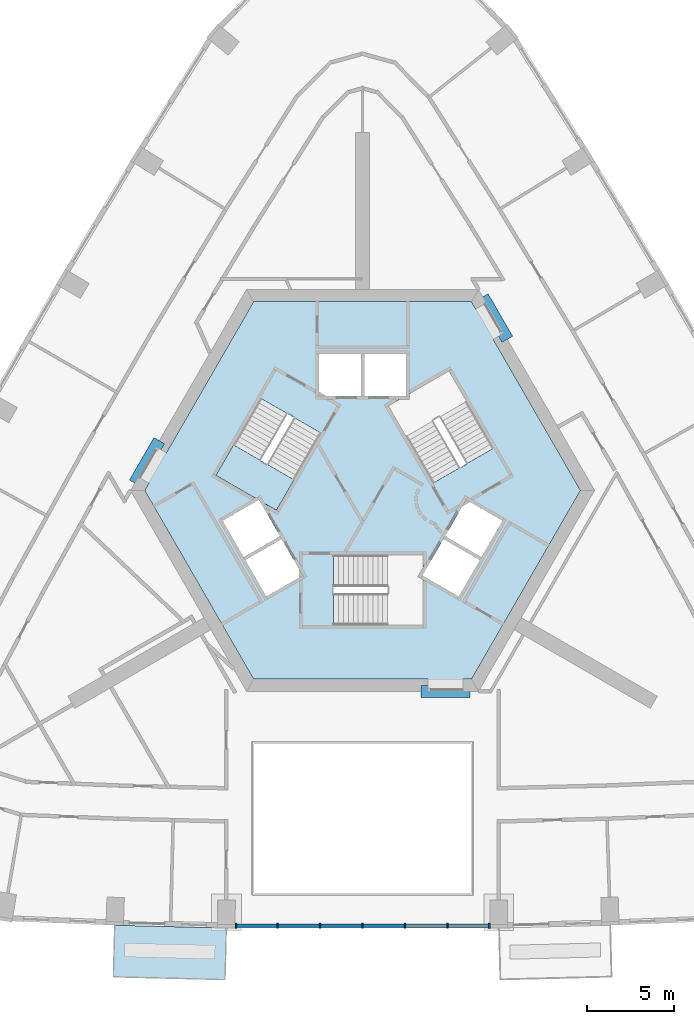
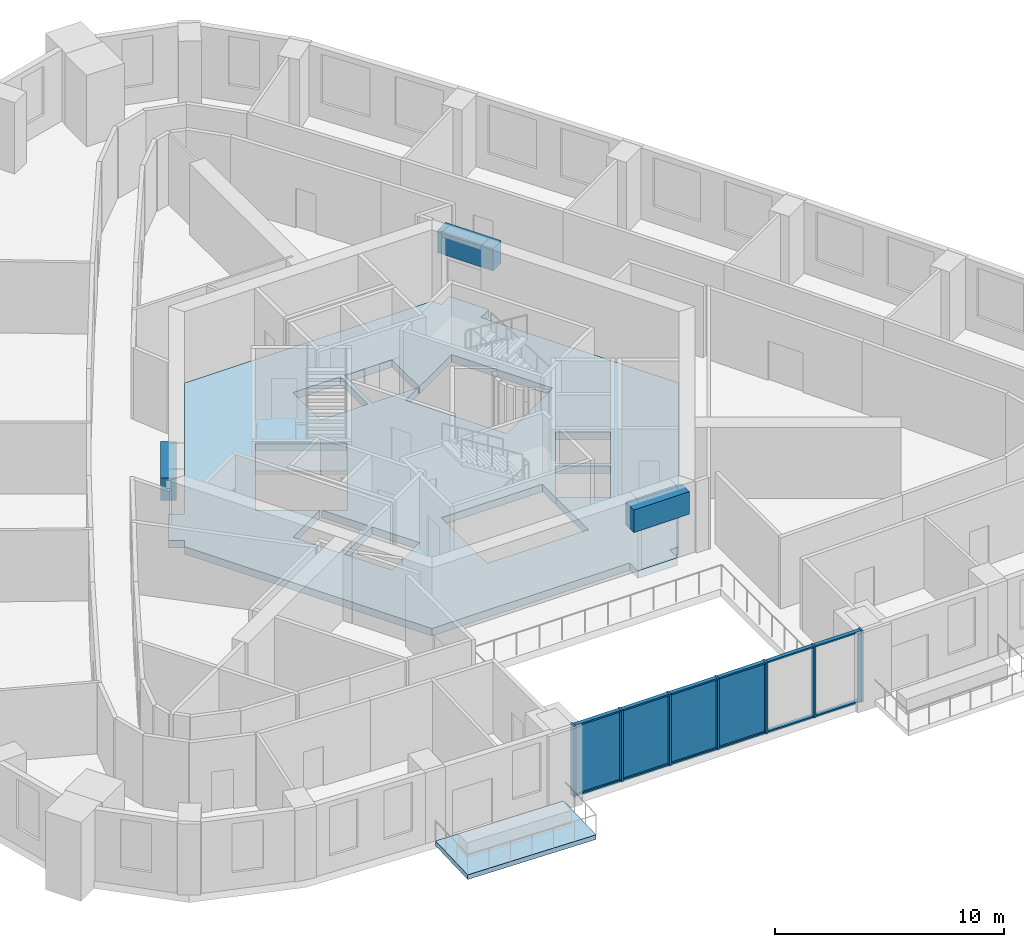
# One storey, part 2 of 11: 19 members, 4 plates, 3 beams, 3 slabs, 2 elements without a shape of their own.
"""IFC4 building model written with IfcOpenShell, lengths in metres."""

from ifc_helpers import new_model, si_unit, direction, frame, origin, origin_2d, place, context, subcontext, project, spatial, polyline, rectangle, outline, extrude, material, layer, layer_set, material_profile, profile_set, type_object, element, aggregate, save


model = new_model("IFC4")

# Units and contexts
model_context = context("Model", 3, precision=1e-05, world=origin(), true_north=direction((0.0, 1.0)))
body_context = subcontext(model_context, "Body", "Model", "MODEL_VIEW")
ifc_project = project(units=[si_unit("LENGTHUNIT", "METRE"), si_unit("AREAUNIT", "SQUARE_METRE"), si_unit("VOLUMEUNIT", "CUBIC_METRE"), si_unit("PLANEANGLEUNIT", "RADIAN"), si_unit("MASSUNIT", "GRAM", prefix="KILO")], contexts=[model_context])

# Site, building, storey
site_placement = place(None, origin())
site = spatial("IfcSite", under=ifc_project, at=site_placement, CompositionType="ELEMENT")
building_placement = place(site_placement, origin())
building = spatial("IfcBuilding", under=site, at=building_placement, Name="Entoto Arch Interchange Tower", CompositionType="ELEMENT")
storey_placement = place(building_placement, frame((0.0, 0.0, 206.60009765625)))
storey = spatial("IfcBuildingStorey", under=building, at=storey_placement, Name="L46", CompositionType="ELEMENT", Elevation=206.60009765625)

# Beams
ifc_material_1 = material(Name="Concrete C50/60", Category="concrete")
ifc_material_profile_1 = material_profile(ifc_material_1, rectangle(XDim=0.699951171875, YDim=1.199951171875, at=origin_2d()))
ifc_profile_set_1 = profile_set([ifc_material_profile_1], Name="Concrete C50/60")
beam_type = type_object("IfcBeamType", Name="Coupling beam RC 700x1200 C50/60", PredefinedType="BEAM", material=ifc_profile_set_1)
for number, where, z_axis, x_axis, name in (
    (1, (8.283935546875, 11.152099609375, 3.0), (-0.500135180047, 0.865947343479, 0.0), (-0.865947343479, -0.500135180047, 0.0), "Coupling beam NE L46"),
    (2, (-11.634033203125, 5.347900390625, 3.0), (-0.500135180047, -0.865947343479, 0.0), (0.865947343479, -0.500135180047, 0.0), "Coupling beam NW L46"),
):
    element("IfcBeam", number, at=place(storey_placement, frame(where, z_axis=z_axis, x_axis=x_axis)), inside=storey, type_object=beam_type, Name=name, PredefinedType="BEAM", context=body_context, shape_type="SweptSolid", body=[
        extrude(rectangle(XDim=0.699951171875, YDim=1.199951171875, at=origin_2d()), origin(), (0.0, 0.0, 1.0), 2.799072265625),
    ])
beam_placement = place(storey_placement, frame((3.35009765625, -9.0, 3.0), z_axis=(1.0, 0.0, 0.0), x_axis=(0.0, 1.0, 0.0)))
element("IfcBeam", 3, at=beam_placement, inside=storey, type_object=beam_type, Name="Coupling beam S L46", PredefinedType="BEAM", context=body_context, shape_type="SweptSolid", body=[
    extrude(rectangle(XDim=0.699951171875, YDim=1.199951171875, at=origin_2d()), origin(), (0.0, 0.0, 1.0), 2.7998046875),
])

# Curtain wall, members
ifc_material_2 = material(Name="Aluminium, anodised", Category="aluminium")
curtain_wall_type = type_object("IfcCurtainWallType", Name="CURTAIN WALL ATRIUM", PredefinedType="NOTDEFINED", material=ifc_material_2)
curtain_wall_placement = place(storey_placement, origin())
curtain_wall = element("IfcCurtainWall", 4, at=curtain_wall_placement, inside=storey, type_object=curtain_wall_type, Name="Atrium glazing S-03 L46", PredefinedType="NOTDEFINED")
ifc_material_profile_2 = material_profile(ifc_material_2, rectangle(XDim=0.300048828125, YDim=0.10009765625, at=origin_2d()))
ifc_profile_set_2 = profile_set([ifc_material_profile_2], Name="Aluminium, anodised")
member_type_1 = type_object("IfcMemberType", Name="MULLION ATRIUM 100x300", PredefinedType="MULLION", material=ifc_profile_set_2)
member_1_placement = place(storey_placement, frame((-7.2490234375, -22.4189453125, 0.0), z_axis=(0.0, 0.0, 1.0), x_axis=(0.0, 1.0, 0.0)))
member_1 = element("IfcMember", 5, at=member_1_placement, type_object=member_type_1, Name="CWA mullion 1", PredefinedType="MULLION", context=body_context, shape_type="SweptSolid", body=[
    extrude(rectangle(XDim=0.300048828125, YDim=0.10009765625, at=origin_2d()), origin(), (0.0, 0.0, 1.0), 3.7998046875),
])
member_2_placement = place(storey_placement, frame((-4.865966796875, -22.4189453125, 0.0), z_axis=(0.0, 0.0, 1.0), x_axis=(0.0, 1.0, 0.0)))
member_2 = element("IfcMember", 6, at=member_2_placement, type_object=member_type_1, Name="CWA mullion 2", PredefinedType="MULLION", context=body_context, shape_type="SweptSolid", body=[
    extrude(rectangle(XDim=0.300048828125, YDim=0.10009765625, at=origin_2d()), origin(), (0.0, 0.0, 1.0), 3.7998046875),
])
member_3_placement = place(storey_placement, frame((-2.43310546875, -22.4189453125, 0.0), z_axis=(0.0, 0.0, 1.0), x_axis=(0.0, 1.0, 0.0)))
member_3 = element("IfcMember", 7, at=member_3_placement, type_object=member_type_1, Name="CWA mullion 3", PredefinedType="MULLION", context=body_context, shape_type="SweptSolid", body=[
    extrude(rectangle(XDim=0.300048828125, YDim=0.10009765625, at=origin_2d()), origin(), (0.0, 0.0, 1.0), 3.7998046875),
])
member_4_placement = place(storey_placement, frame((0.0, -22.4189453125, 0.0), z_axis=(0.0, 0.0, 1.0), x_axis=(0.0, 1.0, 0.0)))
member_4 = element("IfcMember", 8, at=member_4_placement, type_object=member_type_1, Name="CWA mullion 4", PredefinedType="MULLION", context=body_context, shape_type="SweptSolid", body=[
    extrude(rectangle(XDim=0.300048828125, YDim=0.10009765625, at=origin_2d()), origin(), (0.0, 0.0, 1.0), 3.7998046875),
])
member_5_placement = place(storey_placement, frame((2.43310546875, -22.4189453125, 0.0), z_axis=(0.0, 0.0, 1.0), x_axis=(0.0, 1.0, 0.0)))
member_5 = element("IfcMember", 9, at=member_5_placement, type_object=member_type_1, Name="CWA mullion 5", PredefinedType="MULLION", context=body_context, shape_type="SweptSolid", body=[
    extrude(rectangle(XDim=0.300048828125, YDim=0.10009765625, at=origin_2d()), origin(), (0.0, 0.0, 1.0), 3.7998046875),
])
member_6_placement = place(storey_placement, frame((4.865966796875, -22.4189453125, 0.0), z_axis=(0.0, 0.0, 1.0), x_axis=(0.0, 1.0, 0.0)))
member_6 = element("IfcMember", 10, at=member_6_placement, type_object=member_type_1, Name="CWA mullion 6", PredefinedType="MULLION", context=body_context, shape_type="SweptSolid", body=[
    extrude(rectangle(XDim=0.300048828125, YDim=0.10009765625, at=origin_2d()), origin(), (0.0, 0.0, 1.0), 3.7998046875),
])
member_7_placement = place(storey_placement, frame((7.2490234375, -22.4189453125, 0.0), z_axis=(0.0, 0.0, 1.0), x_axis=(0.0, 1.0, 0.0)))
member_7 = element("IfcMember", 11, at=member_7_placement, type_object=member_type_1, Name="CWA mullion 7", PredefinedType="MULLION", context=body_context, shape_type="SweptSolid", body=[
    extrude(rectangle(XDim=0.300048828125, YDim=0.10009765625, at=origin_2d()), origin(), (0.0, 0.0, 1.0), 3.7998046875),
])
ifc_material_profile_3 = material_profile(ifc_material_2, rectangle(XDim=0.199951171875, YDim=0.080078125, at=origin_2d()))
ifc_profile_set_3 = profile_set([ifc_material_profile_3], Name="Aluminium, anodised")
member_type_2 = type_object("IfcMemberType", Name="TRANSOM ATRIUM 80x200", PredefinedType="USERDEFINED", material=ifc_profile_set_3)
member_8_placement = place(storey_placement, frame((-7.198974609375, -22.4189453125, 0.039794921875), z_axis=(1.0, 0.0, 0.0), x_axis=(0.0, 1.0, 0.0)))
member_8 = element("IfcMember", 12, at=member_8_placement, type_object=member_type_2, Name="CWA transom 1.1", ObjectType="TRANSOM", PredefinedType="USERDEFINED", context=body_context, shape_type="SweptSolid", body=[
    extrude(rectangle(XDim=0.199951171875, YDim=0.080078125, at=origin_2d()), origin(), (0.0, 0.0, 1.0), 2.282958984375),
])
member_9_placement = place(storey_placement, frame((-7.198974609375, -22.4189453125, 3.760009765625), z_axis=(1.0, 0.0, 0.0), x_axis=(0.0, 1.0, 0.0)))
member_9 = element("IfcMember", 13, at=member_9_placement, type_object=member_type_2, Name="CWA transom 1.2", ObjectType="TRANSOM", PredefinedType="USERDEFINED", context=body_context, shape_type="SweptSolid", body=[
    extrude(rectangle(XDim=0.199951171875, YDim=0.080078125, at=origin_2d()), origin(), (0.0, 0.0, 1.0), 2.282958984375),
])
member_10_placement = place(storey_placement, frame((-4.81591796875, -22.4189453125, 0.039794921875), z_axis=(1.0, 0.0, 0.0), x_axis=(0.0, 1.0, 0.0)))
member_10 = element("IfcMember", 14, at=member_10_placement, type_object=member_type_2, Name="CWA transom 2.1", ObjectType="TRANSOM", PredefinedType="USERDEFINED", context=body_context, shape_type="SweptSolid", body=[
    extrude(rectangle(XDim=0.199951171875, YDim=0.080078125, at=origin_2d()), origin(), (0.0, 0.0, 1.0), 2.3330078125),
])
member_11_placement = place(storey_placement, frame((-4.81591796875, -22.4189453125, 3.760009765625), z_axis=(1.0, 0.0, 0.0), x_axis=(0.0, 1.0, 0.0)))
member_11 = element("IfcMember", 15, at=member_11_placement, type_object=member_type_2, Name="CWA transom 2.2", ObjectType="TRANSOM", PredefinedType="USERDEFINED", context=body_context, shape_type="SweptSolid", body=[
    extrude(rectangle(XDim=0.199951171875, YDim=0.080078125, at=origin_2d()), origin(), (0.0, 0.0, 1.0), 2.3330078125),
])
member_12_placement = place(storey_placement, frame((-2.383056640625, -22.4189453125, 0.039794921875), z_axis=(1.0, 0.0, 0.0), x_axis=(0.0, 1.0, 0.0)))
member_12 = element("IfcMember", 16, at=member_12_placement, type_object=member_type_2, Name="CWA transom 3.1", ObjectType="TRANSOM", PredefinedType="USERDEFINED", context=body_context, shape_type="SweptSolid", body=[
    extrude(rectangle(XDim=0.199951171875, YDim=0.080078125, at=origin_2d()), origin(), (0.0, 0.0, 1.0), 2.3330078125),
])
member_13_placement = place(storey_placement, frame((-2.383056640625, -22.4189453125, 3.760009765625), z_axis=(1.0, 0.0, 0.0), x_axis=(0.0, 1.0, 0.0)))
member_13 = element("IfcMember", 17, at=member_13_placement, type_object=member_type_2, Name="CWA transom 3.2", ObjectType="TRANSOM", PredefinedType="USERDEFINED", context=body_context, shape_type="SweptSolid", body=[
    extrude(rectangle(XDim=0.199951171875, YDim=0.080078125, at=origin_2d()), origin(), (0.0, 0.0, 1.0), 2.3330078125),
])
member_14_placement = place(storey_placement, frame((0.050048828125, -22.4189453125, 0.039794921875), z_axis=(1.0, 0.0, 0.0), x_axis=(0.0, 1.0, 0.0)))
member_14 = element("IfcMember", 18, at=member_14_placement, type_object=member_type_2, Name="CWA transom 4.1", ObjectType="TRANSOM", PredefinedType="USERDEFINED", context=body_context, shape_type="SweptSolid", body=[
    extrude(rectangle(XDim=0.199951171875, YDim=0.080078125, at=origin_2d()), origin(), (0.0, 0.0, 1.0), 2.3330078125),
])
member_15_placement = place(storey_placement, frame((0.050048828125, -22.4189453125, 3.760009765625), z_axis=(1.0, 0.0, 0.0), x_axis=(0.0, 1.0, 0.0)))
member_15 = element("IfcMember", 19, at=member_15_placement, type_object=member_type_2, Name="CWA transom 4.2", ObjectType="TRANSOM", PredefinedType="USERDEFINED", context=body_context, shape_type="SweptSolid", body=[
    extrude(rectangle(XDim=0.199951171875, YDim=0.080078125, at=origin_2d()), origin(), (0.0, 0.0, 1.0), 2.3330078125),
])
member_16_placement = place(storey_placement, frame((2.48291015625, -22.4189453125, 0.039794921875), z_axis=(1.0, 0.0, 0.0), x_axis=(0.0, 1.0, 0.0)))
member_16 = element("IfcMember", 20, at=member_16_placement, type_object=member_type_2, Name="CWA transom 5.1", ObjectType="TRANSOM", PredefinedType="USERDEFINED", context=body_context, shape_type="SweptSolid", body=[
    extrude(rectangle(XDim=0.199951171875, YDim=0.080078125, at=origin_2d()), origin(), (0.0, 0.0, 1.0), 2.3330078125),
])
member_17_placement = place(storey_placement, frame((2.48291015625, -22.4189453125, 3.760009765625), z_axis=(1.0, 0.0, 0.0), x_axis=(0.0, 1.0, 0.0)))
member_17 = element("IfcMember", 21, at=member_17_placement, type_object=member_type_2, Name="CWA transom 5.2", ObjectType="TRANSOM", PredefinedType="USERDEFINED", context=body_context, shape_type="SweptSolid", body=[
    extrude(rectangle(XDim=0.199951171875, YDim=0.080078125, at=origin_2d()), origin(), (0.0, 0.0, 1.0), 2.3330078125),
])
member_18_placement = place(storey_placement, frame((4.916015625, -22.4189453125, 0.039794921875), z_axis=(1.0, 0.0, 0.0), x_axis=(0.0, 1.0, 0.0)))
member_18 = element("IfcMember", 22, at=member_18_placement, type_object=member_type_2, Name="CWA transom 6.1", ObjectType="TRANSOM", PredefinedType="USERDEFINED", context=body_context, shape_type="SweptSolid", body=[
    extrude(rectangle(XDim=0.199951171875, YDim=0.080078125, at=origin_2d()), origin(), (0.0, 0.0, 1.0), 2.282958984375),
])
member_19_placement = place(storey_placement, frame((4.916015625, -22.4189453125, 3.760009765625), z_axis=(1.0, 0.0, 0.0), x_axis=(0.0, 1.0, 0.0)))
member_19 = element("IfcMember", 23, at=member_19_placement, type_object=member_type_2, Name="CWA transom 6.2", ObjectType="TRANSOM", PredefinedType="USERDEFINED", context=body_context, shape_type="SweptSolid", body=[
    extrude(rectangle(XDim=0.199951171875, YDim=0.080078125, at=origin_2d()), origin(), (0.0, 0.0, 1.0), 2.282958984375),
])

# Slabs
ifc_material_3 = material(Name="Board-marked precast concrete C50/60", Category="concrete")
ifc_layer_1 = layer(ifc_material_3, 0.25)
ifc_layer_set_1 = layer_set([ifc_layer_1], Name="Board-marked precast concrete C50/60")
slab_type_1 = type_object("IfcSlabType", Name="BALCONY DECK PRECAST 250", PredefinedType="FLOOR", material=ifc_layer_set_1)
slab_1_placement = place(storey_placement, frame((0.0, 0.0, -0.25)))
element("IfcSlab", 24, at=slab_1_placement, inside=storey, type_object=slab_type_1, Name="Planted balcony S-02 L46", PredefinedType="FLOOR", context=body_context, shape_type="SweptSolid", body=[
    extrude(outline(polyline([(-14.18505859375, -22.383056640625), (-7.800048828125, -22.5439453125), (-7.8740234375, -25.492919921875), (-14.259033203125, -25.33203125), (-14.18505859375, -22.383056640625)])), origin(), (0.0, 0.0, 1.0), 0.25),
])
ifc_material_4 = material(Name="Concrete C40/50", Category="concrete")
ifc_layer_2 = layer(ifc_material_4, 0.39990234375)
ifc_layer_set_2 = layer_set([ifc_layer_2], Name="Concrete C40/50")
slab_type_2 = type_object("IfcSlabType", Name="Core floor slab 400 C40/50", PredefinedType="FLOOR", material=ifc_layer_set_2)
slab_2_placement = place(storey_placement, frame((0.0, 0.0, -0.400146484375)))
element("IfcSlab", 25, at=slab_2_placement, inside=storey, type_object=slab_type_2, Name="Core floor slab L46", PredefinedType="FLOOR", context=body_context, shape_type="SweptSolid", body=[
    extrude(outline(polyline([(5.75, -9.0), (3.75, -9.0), (3.75, -8.300048828125), (-6.235107421875, -8.300048828125), (-12.470947265625, 2.5), (-12.22802734375, 2.919921875), (-12.833984375, 3.27001953125), (-11.833984375, 5.001953125), (-11.22802734375, 4.652099609375), (-6.235107421875, 13.300048828125), (6.235107421875, 13.300048828125), (6.47802734375, 12.8798828125), (7.083984375, 13.22998046875), (8.083984375, 11.498046875), (7.47802734375, 11.14794921875), (12.470947265625, 2.5), (6.235107421875, -8.300048828125), (5.75, -8.300048828125), (5.75, -9.0)]), holes=[polyline([(-1.64990234375, -5.199951171875), (3.449951171875, -5.199951171875), (3.449951171875, -2.3779296875), (5.5048828125, -3.56494140625), (6.705078125, -1.487060546875), (4.626953125, -0.287109375), (3.449951171875, -2.324951171875), (3.449951171875, -1.199951171875), (-1.64990234375, -1.199951171875), (-1.64990234375, -5.199951171875)]), polyline([(-4.626953125, -0.287109375), (-6.705078125, -1.487060546875), (-5.5048828125, -3.56494140625), (-3.427001953125, -2.364990234375), (-4.626953125, -0.287109375)]), polyline([(-5.904052734375, 1.925048828125), (-4.928955078125, 1.362060546875), (-2.37890625, 5.779052734375), (-5.843017578125, 7.779052734375), (-8.39306640625, 3.362060546875), (-5.949951171875, 1.951904296875), (-8.0048828125, 0.764892578125), (-6.804931640625, -1.31298828125), (-4.72705078125, -0.113037109375), (-5.904052734375, 1.925048828125)]), polyline([(4.72705078125, -0.113037109375), (6.804931640625, -1.31298828125), (8.0048828125, 0.764892578125), (5.927001953125, 1.965087890625), (4.72705078125, -0.113037109375)]), polyline([(2.5, 7.927001953125), (2.5, 10.300048828125), (0.10009765625, 10.300048828125), (0.10009765625, 7.89990234375), (2.452880859375, 7.89990234375), (1.47900390625, 7.337890625), (4.029052734375, 2.9208984375), (7.492919921875, 4.9208984375), (4.943115234375, 9.337890625), (2.5, 7.927001953125)]), polyline([(-2.5, 7.89990234375), (-0.10009765625, 7.89990234375), (-0.10009765625, 10.300048828125), (-2.5, 10.300048828125), (-2.5, 7.89990234375)])]), origin(), (0.0, 0.0, 1.0), 0.400146484375),
])

# Stair, slab
stair_type = type_object("IfcStairType", Name="EXIT STAIR RC 1800", PredefinedType="HALF_TURN_STAIR", material=ifc_material_4)
stair_placement = place(storey_placement, origin())
stair = element("IfcStair", 26, at=stair_placement, inside=storey, type_object=stair_type, Name="L46 Exit stair NW", PredefinedType="HALF_TURN_STAIR")
ifc_layer_3 = layer(ifc_material_4, 0.199951171875)
ifc_layer_set_3 = layer_set([ifc_layer_3], Name="Concrete C40/50")
slab_type_3 = type_object("IfcSlabType", Name="EXIT STAIR LANDING RC 200", PredefinedType="LANDING", material=ifc_layer_set_3)
slab_3_placement = place(storey_placement, frame((0.0, 0.0, 1.89990234375)))
slab_3 = element("IfcSlab", 27, at=slab_3_placement, type_object=slab_type_3, Name="ST-NW landing 1", PredefinedType="LANDING", context=body_context, shape_type="SweptSolid", body=[
    extrude(outline(polyline([(-7.38330078125, 5.111572265625), (-8.393310546875, 3.3623046875), (-4.92919921875, 1.3623046875), (-3.919189453125, 3.111572265625), (-7.38330078125, 5.111572265625)])), origin(), (0.0, 0.0, 1.0), 0.199951171875),
])
aggregate(stair, [slab_3])

# Plate
ifc_material_5 = material(Name="Clear glass, low-e double glazed", Category="glass")
ifc_layer_4 = layer(ifc_material_5, 0.031982421875)
ifc_layer_set_4 = layer_set([ifc_layer_4], Name="Clear glass, low-e double glazed")
plate_type = type_object("IfcPlateType", Name="GLAZING PANEL ATRIUM 32", PredefinedType="CURTAIN_PANEL", material=ifc_layer_set_4)
plate_1_placement = place(storey_placement, frame((-6.0576171875, -22.4189453125, 0.080078125), z_axis=(0.0, 0.0, 1.0), x_axis=(1.0, 0.0, 0.0)))
plate_1 = element("IfcPlate", 28, at=plate_1_placement, type_object=plate_type, Name="CWA panel 1.1", PredefinedType="CURTAIN_PANEL", context=body_context, shape_type="SweptSolid", body=[
    extrude(rectangle(XDim=2.282958984375, YDim=0.031982421875, at=origin_2d()), origin(), (0.0, 0.0, 1.0), 3.639892578125),
])

plate_2_placement = place(storey_placement, frame((-3.6494140625, -22.4189453125, 0.080078125), z_axis=(0.0, 0.0, 1.0), x_axis=(1.0, 0.0, 0.0)))
plate_2 = element("IfcPlate", 29, at=plate_2_placement, type_object=plate_type, Name="CWA panel 2.1", PredefinedType="CURTAIN_PANEL", context=body_context, shape_type="SweptSolid", body=[
    extrude(rectangle(XDim=2.3330078125, YDim=0.031982421875, at=origin_2d()), origin(), (0.0, 0.0, 1.0), 3.639892578125),
])

plate_3_placement = place(storey_placement, frame((-1.216552734375, -22.4189453125, 0.080078125), z_axis=(0.0, 0.0, 1.0), x_axis=(1.0, 0.0, 0.0)))
plate_3 = element("IfcPlate", 30, at=plate_3_placement, type_object=plate_type, Name="CWA panel 3.1", PredefinedType="CURTAIN_PANEL", context=body_context, shape_type="SweptSolid", body=[
    extrude(rectangle(XDim=2.3330078125, YDim=0.031982421875, at=origin_2d()), origin(), (0.0, 0.0, 1.0), 3.639892578125),
])

plate_4_placement = place(storey_placement, frame((1.216552734375, -22.4189453125, 0.080078125), z_axis=(0.0, 0.0, 1.0), x_axis=(1.0, 0.0, 0.0)))
plate_4 = element("IfcPlate", 31, at=plate_4_placement, type_object=plate_type, Name="CWA panel 4.1", PredefinedType="CURTAIN_PANEL", context=body_context, shape_type="SweptSolid", body=[
    extrude(rectangle(XDim=2.3330078125, YDim=0.031982421875, at=origin_2d()), origin(), (0.0, 0.0, 1.0), 3.639892578125),
])

aggregate(curtain_wall, [member_1, member_2, member_3, member_4, member_5, member_6, member_7, member_8, member_9, plate_1, member_10, member_11, plate_2, member_12, member_13, plate_3, member_14, member_15, plate_4, member_16, member_17, member_18, member_19])

save(model, "model.ifc")
